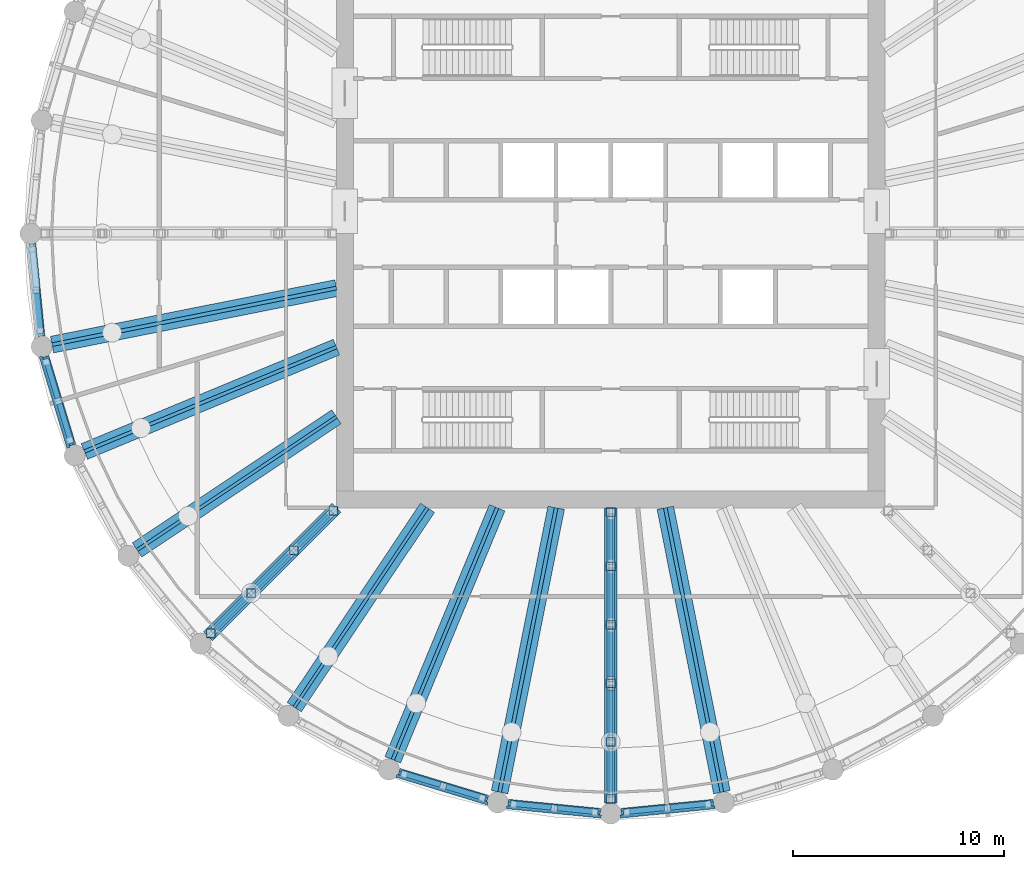
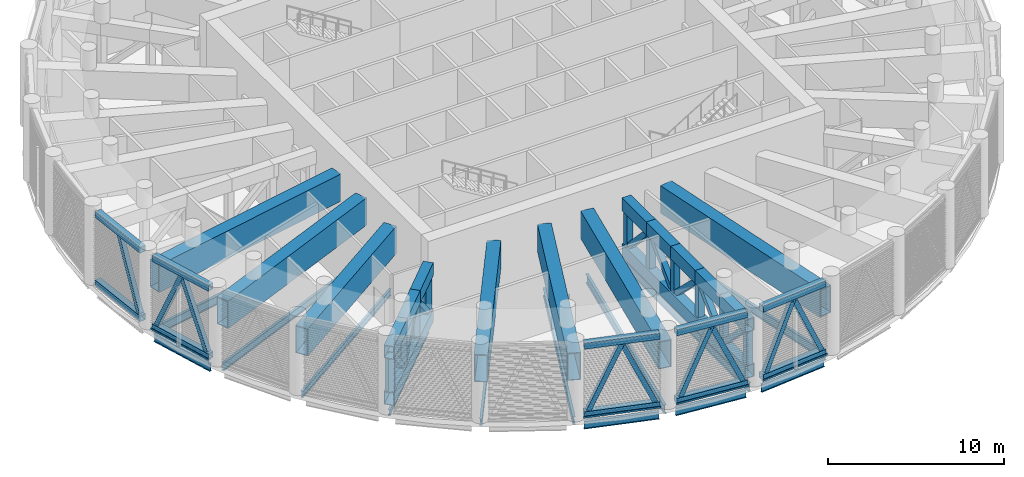
# One storey, part 2 of 24: 51 members, 20 beams, 4 elements without a shape of their own.
"""IFC4 building model written with IfcOpenShell, lengths in metres."""

from ifc_helpers import new_model, si_unit, direction, frame, origin, origin_2d, place, context, subcontext, project, spatial, rectangle, hollow_rectangle, i_section, extrude, material, material_profile, profile_set, type_object, element, aggregate, save


model = new_model("IFC4")

# Units and contexts
model_context = context("Model", 3, precision=1e-05, world=origin(), true_north=direction((0.0, 1.0)))
body_context = subcontext(model_context, "Body", "Model", "MODEL_VIEW")
ifc_project = project(units=[si_unit("LENGTHUNIT", "METRE"), si_unit("AREAUNIT", "SQUARE_METRE"), si_unit("VOLUMEUNIT", "CUBIC_METRE"), si_unit("PLANEANGLEUNIT", "RADIAN"), si_unit("MASSUNIT", "GRAM", prefix="KILO")], contexts=[model_context])

# Site, building, storey
site_placement = place(None, origin())
site = spatial("IfcSite", under=ifc_project, at=site_placement, CompositionType="ELEMENT")
building_placement = place(site_placement, origin())
building = spatial("IfcBuilding", under=site, at=building_placement, Name="Corvane Civic Tower", CompositionType="ELEMENT")
storey_placement = place(building_placement, frame((0.0, 0.0, 257.5)))
storey = spatial("IfcBuildingStorey", under=building, at=storey_placement, Name="L61", CompositionType="ELEMENT", Elevation=257.5)

# Members
ifc_material_1 = material(Name="Steel ASTM A500 Gr C", Category="steel")
ifc_material_profile_1 = material_profile(ifc_material_1, hollow_rectangle(XDim=0.406494140625, YDim=0.406494140625, WallThickness=0.0146484375, at=origin_2d()), Name="HSS16X16X5/8")
ifc_profile_set_1 = profile_set([ifc_material_profile_1], Name="Steel ASTM A500 Gr C")
member_type_1 = type_object("IfcMemberType", Name="BELT CHORD HSS16X16X5/8", PredefinedType="CHORD", material=ifc_profile_set_1)
for number, where, z_axis, x_axis, name in (
    (1, (4.867431640625, -27.020751953125, 4.94677734375), (-0.995189593769, -0.097967711281, 0.0), (0.097967711281, -0.995189593769, 0.0), "Belt truss BT-L61"),
    (2, (4.867431640625, -27.020751953125, 0.203125), (-0.995189593769, -0.097967711281, 0.0), (0.097967711281, -0.995189593769, 0.0), "Belt truss BT-L61"),
    (3, (-0.49755859375, -27.450927734375, 4.94677734375), (-0.995189593769, 0.097967711281, 0.0), (-0.097967711281, -0.995189593769, 0.0), "Belt truss BT-L61"),
    (4, (-0.49755859375, -27.450927734375, 0.203125), (-0.995189593769, 0.097967711281, 0.0), (-0.097967711281, -0.995189593769, 0.0), "Belt truss BT-L61"),
):
    element("IfcMember", number, at=place(storey_placement, frame(where, z_axis=z_axis, x_axis=x_axis)), inside=storey, type_object=member_type_1, Name=name, PredefinedType="CHORD", context=body_context, shape_type="SweptSolid", body=[
        extrude(hollow_rectangle(XDim=0.406494140625, YDim=0.406494140625, WallThickness=0.0146484375, at=origin_2d()), origin(), (0.0, 0.0, 1.0), 4.39111328125),
    ])
for number, where, z_axis, x_axis, name in (
    (5, (-5.843505859375, -26.826416015625, 4.94677734375), (-0.956949547653, 0.290254307888, 0.0), (-0.290254307888, -0.956949547653, 0.0), "Belt truss BT-L61"),
    (6, (-5.843505859375, -26.826416015625, 0.203125), (-0.956949547653, 0.290254307888, 0.0), (-0.290254307888, -0.956949547653, 0.0), "Belt truss BT-L61"),
    (7, (-25.552001953125, -10.045166015625, 4.94677734375), (-0.290254307888, 0.956949547653, 0.0), (-0.956949547653, -0.290254307888, 0.0), "Belt truss BT-L61"),
    (8, (-25.552001953125, -10.045166015625, 0.203125), (-0.290254307888, 0.956949547653, 0.0), (-0.956949547653, -0.290254307888, 0.0), "Belt truss BT-L61"),
):
    element("IfcMember", number, at=place(storey_placement, frame(where, z_axis=z_axis, x_axis=x_axis)), inside=storey, type_object=member_type_1, Name=name, PredefinedType="CHORD", context=body_context, shape_type="SweptSolid", body=[
        extrude(hollow_rectangle(XDim=0.406494140625, YDim=0.406494140625, WallThickness=0.0146484375, at=origin_2d()), origin(), (0.0, 0.0, 1.0), 4.390625),
    ])
for number, where, z_axis, x_axis, name in (
    (9, (-27.020751953125, -4.867431640625, 4.94677734375), (-0.097967711281, 0.995189593769, 0.0), (-0.995189593769, -0.097967711281, 0.0), "Belt truss BT-L61"),
    (10, (-27.020751953125, -4.867431640625, 0.203125), (-0.097967711281, 0.995189593769, 0.0), (-0.995189593769, -0.097967711281, 0.0), "Belt truss BT-L61"),
):
    element("IfcMember", number, at=place(storey_placement, frame(where, z_axis=z_axis, x_axis=x_axis)), inside=storey, type_object=member_type_1, Name=name, PredefinedType="CHORD", context=body_context, shape_type="SweptSolid", body=[
        extrude(hollow_rectangle(XDim=0.406494140625, YDim=0.406494140625, WallThickness=0.0146484375, at=origin_2d()), origin(), (0.0, 0.0, 1.0), 4.39111328125),
    ])
ifc_material_2 = material(Name="Steel ASTM A500 Gr C", Category="steel")
ifc_material_profile_2 = material_profile(ifc_material_2, hollow_rectangle(XDim=0.3046875, YDim=0.3046875, WallThickness=0.01171875, at=origin_2d()), Name="HSS12X12X1/2")
ifc_profile_set_2 = profile_set([ifc_material_profile_2], Name="Steel ASTM A500 Gr C")
member_type_2 = type_object("IfcMemberType", Name="BELT DIAGONAL HSS12X12X1/2", PredefinedType="BRACE", material=ifc_profile_set_2)
member_1_placement = place(storey_placement, frame((4.61865234375, -27.045166015625, 0.406494140625), z_axis=(-0.407288336964, -0.040112508344, 0.912418323603), x_axis=(0.098012562879, -0.995185177501, 0.0)))
element("IfcMember", 11, at=member_1_placement, inside=storey, type_object=member_type_2, Name="Belt truss BT-L61", PredefinedType="BRACE", context=body_context, shape_type="SweptSolid", body=[
    extrude(hollow_rectangle(XDim=0.3046875, YDim=0.3046875, WallThickness=0.01171875, at=origin_2d()), origin(), (0.0, 0.0, 1.0), 4.75341796875),
])
for number, where, z_axis, x_axis, name in (
    (12, (0.746337890625, -27.426513671875, 0.406494140625), (0.407331176201, 0.040111669224, 0.912399236566), (-0.098000323415, 0.99518638285, 0.0), "Belt truss BT-L61"),
    (13, (-0.746337890625, -27.426513671875, 0.406494140625), (-0.407331176201, 0.040111669224, 0.912399236566), (-0.098000323415, -0.99518638285, 0.0), "Belt truss BT-L61"),
):
    element("IfcMember", number, at=place(storey_placement, frame(where, z_axis=z_axis, x_axis=x_axis)), inside=storey, type_object=member_type_2, Name=name, PredefinedType="BRACE", context=body_context, shape_type="SweptSolid", body=[
        extrude(hollow_rectangle(XDim=0.3046875, YDim=0.3046875, WallThickness=0.01171875, at=origin_2d()), origin(), (0.0, 0.0, 1.0), 4.753662109375),
    ])
for number, where, z_axis, x_axis, name in (
    (14, (-4.61865234375, -27.045166015625, 0.406494140625), (0.407288336964, -0.040112508344, 0.912418323603), (0.098012562879, 0.995185177501, 0.0), "Belt truss BT-L61"),
    (15, (-6.082763671875, -26.75390625, 0.406494140625), (-0.391625604983, 0.118797380239, 0.912423458691), (-0.290282555448, -0.956940979373, 0.0), "Belt truss BT-L61"),
    (16, (-9.805908203125, -25.62451171875, 0.406494140625), (0.391625604983, -0.118797380239, 0.912423458691), (0.290282555448, 0.956940979373, 0.0), "Belt truss BT-L61"),
    (17, (-25.62451171875, -9.805908203125, 0.406494140625), (-0.118797380239, 0.391625604983, 0.912423458691), (-0.956940979373, -0.290282555448, 0.0), "Belt truss BT-L61"),
    (18, (-26.75390625, -6.082763671875, 0.406494140625), (0.118797380239, -0.391625604983, 0.912423458691), (0.956940979373, 0.290282555448, 0.0), "Belt truss BT-L61"),
    (19, (-27.045166015625, -4.61865234375, 0.406494140625), (-0.040112508344, 0.407288336964, 0.912418323603), (-0.995185177501, -0.098012562879, 0.0), "Belt truss BT-L61"),
):
    element("IfcMember", number, at=place(storey_placement, frame(where, z_axis=z_axis, x_axis=x_axis)), inside=storey, type_object=member_type_2, Name=name, PredefinedType="BRACE", context=body_context, shape_type="SweptSolid", body=[
        extrude(hollow_rectangle(XDim=0.3046875, YDim=0.3046875, WallThickness=0.01171875, at=origin_2d()), origin(), (0.0, 0.0, 1.0), 4.75341796875),
    ])

# Beams
ifc_material_3 = material(Name="Steel ASTM A992 Gr 50", Category="steel")
ifc_material_profile_3 = material_profile(ifc_material_3, i_section(OverallWidth=0.165771484375, OverallDepth=0.5283203125, WebThickness=0.009765625, FlangeThickness=0.013671875, at=origin_2d()), Name="W21X50")
ifc_profile_set_3 = profile_set([ifc_material_profile_3], Name="Steel ASTM A992 Gr 50")
beam_type_1 = type_object("IfcBeamType", Name="EDGE BEAM W21X50", PredefinedType="BEAM", material=ifc_profile_set_3)
for number, where, z_axis, x_axis, name in (
    (20, (4.867431640625, -27.020751953125, -0.6142578125), (-0.995189593769, -0.097967711281, 0.0), (0.097967711281, -0.995189593769, 0.0), "BM-L61-E16"),
    (21, (-0.49755859375, -27.450927734375, -0.6142578125), (-0.995189593769, 0.097967711281, 0.0), (-0.097967711281, -0.995189593769, 0.0), "BM-L61-E17"),
):
    element("IfcBeam", number, at=place(storey_placement, frame(where, z_axis=z_axis, x_axis=x_axis)), inside=storey, type_object=beam_type_1, Name=name, PredefinedType="BEAM", context=body_context, shape_type="SweptSolid", body=[
        extrude(i_section(OverallWidth=0.165771484375, OverallDepth=0.5283203125, WebThickness=0.009765625, FlangeThickness=0.013671875, at=origin_2d()), origin(), (0.0, 0.0, 1.0), 4.39111328125),
    ])
for number, where, z_axis, x_axis, name in (
    (22, (-5.843505859375, -26.826416015625, -0.6142578125), (-0.956949547653, 0.290254307888, 0.0), (-0.290254307888, -0.956949547653, 0.0), "BM-L61-E18"),
    (23, (-25.552001953125, -10.045166015625, -0.6142578125), (-0.290254307888, 0.956949547653, 0.0), (-0.956949547653, -0.290254307888, 0.0), "BM-L61-E23"),
):
    element("IfcBeam", number, at=place(storey_placement, frame(where, z_axis=z_axis, x_axis=x_axis)), inside=storey, type_object=beam_type_1, Name=name, PredefinedType="BEAM", context=body_context, shape_type="SweptSolid", body=[
        extrude(i_section(OverallWidth=0.165771484375, OverallDepth=0.5283203125, WebThickness=0.009765625, FlangeThickness=0.013671875, at=origin_2d()), origin(), (0.0, 0.0, 1.0), 4.390625),
    ])
ifc_material_4 = material(Name="Steel ASTM A992 Gr 50", Category="steel")
ifc_material_profile_4 = material_profile(ifc_material_4, i_section(OverallWidth=0.140380859375, OverallDepth=0.40380859375, WebThickness=0.007080078125, FlangeThickness=0.01123046875, at=origin_2d()), Name="W16X31")
ifc_profile_set_4 = profile_set([ifc_material_profile_4], Name="Steel ASTM A992 Gr 50")
beam_type_2 = type_object("IfcBeamType", Name="FLOOR GIRDER W16X31", PredefinedType="BEAM", material=ifc_profile_set_4)
beam_1_placement = place(storey_placement, frame((-13.0, -13.0, -0.552001953125), z_axis=(-0.707106781187, -0.707106781187, 0.0), x_axis=(0.707106781187, -0.707106781187, 0.0)))
element("IfcBeam", 24, at=beam_1_placement, inside=storey, type_object=beam_type_2, Name="BM-L61-G21", PredefinedType="BEAM", context=body_context, shape_type="SweptSolid", body=[
    extrude(i_section(OverallWidth=0.140380859375, OverallDepth=0.40380859375, WebThickness=0.007080078125, FlangeThickness=0.01123046875, at=origin_2d()), origin(), (0.0, 0.0, 1.0), 8.614990234375),
])
ifc_material_5 = material(Name="Steel ASTM A992 Gr 50", Category="steel")
ifc_material_profile_5 = material_profile(ifc_material_5, i_section(OverallWidth=0.15283203125, OverallDepth=0.45458984375, WebThickness=0.008056640625, FlangeThickness=0.013427734375, at=origin_2d()), Name="W18X40")
ifc_profile_set_5 = profile_set([ifc_material_profile_5], Name="Steel ASTM A992 Gr 50")
beam_type_3 = type_object("IfcBeamType", Name="FLOOR GIRDER W18X40", PredefinedType="BEAM", material=ifc_profile_set_5)
for number, where, z_axis, x_axis, name in (
    (25, (-8.686279296875, -13.0, -0.577392578125), (-0.555577326485, -0.831464872557, 0.0), (0.831464872557, -0.555577326485, 0.0), "BM-L61-G20"),
    (26, (-13.0, -8.686279296875, -0.577392578125), (-0.831464872557, -0.555577326485, 0.0), (0.555577326485, -0.831464872557, 0.0), "BM-L61-G22"),
):
    element("IfcBeam", number, at=place(storey_placement, frame(where, z_axis=z_axis, x_axis=x_axis)), inside=storey, type_object=beam_type_3, Name=name, PredefinedType="BEAM", context=body_context, shape_type="SweptSolid", body=[
        extrude(i_section(OverallWidth=0.15283203125, OverallDepth=0.45458984375, WebThickness=0.008056640625, FlangeThickness=0.013427734375, at=origin_2d()), origin(), (0.0, 0.0, 1.0), 11.365234375),
    ])
ifc_material_6 = material(Name="Steel ASTM A992 Gr 50", Category="steel")
ifc_material_profile_6 = material_profile(ifc_material_6, i_section(OverallWidth=0.165771484375, OverallDepth=0.5283203125, WebThickness=0.009765625, FlangeThickness=0.013671875, at=origin_2d()), Name="W21X50")
ifc_profile_set_6 = profile_set([ifc_material_profile_6], Name="Steel ASTM A992 Gr 50")
beam_type_4 = type_object("IfcBeamType", Name="FLOOR GIRDER W21X50", PredefinedType="BEAM", material=ifc_profile_set_6)
for number, where, z_axis, x_axis, name in (
    (27, (-5.384765625, -13.0, -0.6142578125), (-0.382686450378, -0.923878282404, 0.0), (0.923878282404, -0.382686450378, 0.0), "BM-L61-G19"),
    (28, (-13.0, -5.384765625, -0.6142578125), (-0.923878282404, -0.382686450378, 0.0), (0.382686450378, -0.923878282404, 0.0), "BM-L61-G23"),
):
    element("IfcBeam", number, at=place(storey_placement, frame(where, z_axis=z_axis, x_axis=x_axis)), inside=storey, type_object=beam_type_4, Name=name, PredefinedType="BEAM", context=body_context, shape_type="SweptSolid", body=[
        extrude(i_section(OverallWidth=0.165771484375, OverallDepth=0.5283203125, WebThickness=0.009765625, FlangeThickness=0.013671875, at=origin_2d()), origin(), (0.0, 0.0, 1.0), 12.928955078125),
    ])
ifc_material_7 = material(Name="Steel ASTM A992 Gr 50", Category="steel")
ifc_material_profile_7 = material_profile(ifc_material_7, i_section(OverallWidth=0.177978515625, OverallDepth=0.599365234375, WebThickness=0.010009765625, FlangeThickness=0.012939453125, at=origin_2d()), Name="W24X55")
ifc_profile_set_7 = profile_set([ifc_material_profile_7], Name="Steel ASTM A992 Gr 50")
beam_type_5 = type_object("IfcBeamType", Name="FLOOR GIRDER W24X55", PredefinedType="BEAM", material=ifc_profile_set_7)
beam_2_placement = place(storey_placement, frame((2.5859375, -13.0, -0.649658203125), z_axis=(0.195077644118, -0.980787802109, 0.0), x_axis=(0.980787802109, 0.195077644118, 0.0)))
element("IfcBeam", 29, at=beam_2_placement, inside=storey, type_object=beam_type_5, Name="BM-L61-G16", PredefinedType="BEAM", context=body_context, shape_type="SweptSolid", body=[
    extrude(i_section(OverallWidth=0.177978515625, OverallDepth=0.599365234375, WebThickness=0.010009765625, FlangeThickness=0.012939453125, at=origin_2d()), origin(), (0.0, 0.0, 1.0), 13.745361328125),
])
beam_3_placement = place(storey_placement, frame((0.0, -13.0, -0.649658203125), z_axis=(0.0, -1.0, 0.0), x_axis=(1.0, 0.0, 0.0)))
element("IfcBeam", 30, at=beam_3_placement, inside=storey, type_object=beam_type_5, Name="BM-L61-G17", PredefinedType="BEAM", context=body_context, shape_type="SweptSolid", body=[
    extrude(i_section(OverallWidth=0.177978515625, OverallDepth=0.599365234375, WebThickness=0.010009765625, FlangeThickness=0.012939453125, at=origin_2d()), origin(), (0.0, 0.0, 1.0), 14.0),
])
for number, where, z_axis, x_axis, name in (
    (31, (-2.5859375, -13.0, -0.649658203125), (-0.195077644118, -0.980787802109, 0.0), (0.980787802109, -0.195077644118, 0.0), "BM-L61-G18"),
    (32, (-13.0, -2.5859375, -0.649658203125), (-0.980787802109, -0.195077644118, 0.0), (0.195077644118, -0.980787802109, 0.0), "BM-L61-G24"),
):
    element("IfcBeam", number, at=place(storey_placement, frame(where, z_axis=z_axis, x_axis=x_axis)), inside=storey, type_object=beam_type_5, Name=name, PredefinedType="BEAM", context=body_context, shape_type="SweptSolid", body=[
        extrude(i_section(OverallWidth=0.177978515625, OverallDepth=0.599365234375, WebThickness=0.010009765625, FlangeThickness=0.012939453125, at=origin_2d()), origin(), (0.0, 0.0, 1.0), 13.745361328125),
    ])

# Members
ifc_material_8 = material(Name="Steel ASTM A572 Gr 50", Category="steel")
ifc_material_profile_8 = material_profile(ifc_material_8, hollow_rectangle(XDim=0.60009765625, YDim=0.89990234375, WallThickness=0.0400390625, at=origin_2d()), Name="BOX900X600X40")
ifc_profile_set_8 = profile_set([ifc_material_profile_8], Name="Steel ASTM A572 Gr 50")
member_type_3 = type_object("IfcMemberType", Name="OUTRIGGER CHORD BOX900X600X40", PredefinedType="CHORD", material=ifc_profile_set_8)
member_2_placement = place(storey_placement, frame((0.0, -13.0, 3.64990234375), z_axis=(0.0, -1.0, 0.0), x_axis=(1.0, 0.0, 0.0)))
element("IfcMember", 33, at=member_2_placement, inside=storey, type_object=member_type_3, Name="Outrigger truss OT-L61-5", PredefinedType="CHORD", context=body_context, shape_type="SweptSolid", body=[
    extrude(hollow_rectangle(XDim=0.60009765625, YDim=0.89990234375, WallThickness=0.0400390625, at=origin_2d()), origin(), (0.0, 0.0, 1.0), 2.77490234375),
])
member_3_placement = place(storey_placement, frame((0.0, -15.77490234375, 3.64990234375), z_axis=(0.0, -1.0, 0.0), x_axis=(1.0, 0.0, 0.0)))
element("IfcMember", 34, at=member_3_placement, inside=storey, type_object=member_type_3, Name="Outrigger truss OT-L61-5", PredefinedType="CHORD", context=body_context, shape_type="SweptSolid", body=[
    extrude(hollow_rectangle(XDim=0.60009765625, YDim=0.89990234375, WallThickness=0.0400390625, at=origin_2d()), origin(), (0.0, 0.0, 1.0), 2.775146484375),
])
member_4_placement = place(storey_placement, frame((0.0, -18.550048828125, 3.64990234375), z_axis=(0.0, -1.0, 0.0), x_axis=(1.0, 0.0, 0.0)))
element("IfcMember", 35, at=member_4_placement, inside=storey, type_object=member_type_3, Name="Outrigger truss OT-L61-5", PredefinedType="CHORD", context=body_context, shape_type="SweptSolid", body=[
    extrude(hollow_rectangle(XDim=0.60009765625, YDim=0.89990234375, WallThickness=0.0400390625, at=origin_2d()), origin(), (0.0, 0.0, 1.0), 2.77490234375),
])
member_5_placement = place(storey_placement, frame((0.0, -21.324951171875, 3.64990234375), z_axis=(0.0, -1.0, 0.0), x_axis=(1.0, 0.0, 0.0)))
element("IfcMember", 36, at=member_5_placement, inside=storey, type_object=member_type_3, Name="Outrigger truss OT-L61-5", PredefinedType="CHORD", context=body_context, shape_type="SweptSolid", body=[
    extrude(hollow_rectangle(XDim=0.60009765625, YDim=0.89990234375, WallThickness=0.0400390625, at=origin_2d()), origin(), (0.0, 0.0, 1.0), 2.775146484375),
])
member_6_placement = place(storey_placement, frame((0.0, -24.10009765625, 3.64990234375), z_axis=(0.0, -1.0, 0.0), x_axis=(1.0, 0.0, 0.0)))
element("IfcMember", 37, at=member_6_placement, inside=storey, type_object=member_type_3, Name="Outrigger truss OT-L61-5", PredefinedType="CHORD", context=body_context, shape_type="SweptSolid", body=[
    extrude(hollow_rectangle(XDim=0.60009765625, YDim=0.89990234375, WallThickness=0.0400390625, at=origin_2d()), origin(), (0.0, 0.0, 1.0), 2.89990234375),
])
member_7_placement = place(storey_placement, frame((0.0, -13.0, 0.449951171875), z_axis=(0.0, -1.0, 0.0), x_axis=(1.0, 0.0, 0.0)))
element("IfcMember", 38, at=member_7_placement, inside=storey, type_object=member_type_3, Name="Outrigger truss OT-L61-5", PredefinedType="CHORD", context=body_context, shape_type="SweptSolid", body=[
    extrude(hollow_rectangle(XDim=0.60009765625, YDim=0.89990234375, WallThickness=0.0400390625, at=origin_2d()), origin(), (0.0, 0.0, 1.0), 14.0),
])
member_8_placement = place(storey_placement, frame((-13.0, -13.0, 3.64990234375), z_axis=(-0.707106781187, -0.707106781187, 0.0), x_axis=(0.707106781187, -0.707106781187, 0.0)))
element("IfcMember", 39, at=member_8_placement, inside=storey, type_object=member_type_3, Name="Outrigger truss OT-L61-6", PredefinedType="CHORD", context=body_context, shape_type="SweptSolid", body=[
    extrude(hollow_rectangle(XDim=0.60009765625, YDim=0.89990234375, WallThickness=0.0400390625, at=origin_2d()), origin(), (0.0, 0.0, 1.0), 2.857666015625),
])
member_9_placement = place(storey_placement, frame((-15.020751953125, -15.020751953125, 3.64990234375), z_axis=(-0.707106781187, -0.707106781187, 0.0), x_axis=(0.707106781187, -0.707106781187, 0.0)))
element("IfcMember", 40, at=member_9_placement, inside=storey, type_object=member_type_3, Name="Outrigger truss OT-L61-6", PredefinedType="CHORD", context=body_context, shape_type="SweptSolid", body=[
    extrude(hollow_rectangle(XDim=0.60009765625, YDim=0.89990234375, WallThickness=0.0400390625, at=origin_2d()), origin(), (0.0, 0.0, 1.0), 2.857421875),
])
member_10_placement = place(storey_placement, frame((-17.041259765625, -17.041259765625, 3.64990234375), z_axis=(-0.707106781187, -0.707106781187, 0.0), x_axis=(0.707106781187, -0.707106781187, 0.0)))
element("IfcMember", 41, at=member_10_placement, inside=storey, type_object=member_type_3, Name="Outrigger truss OT-L61-6", PredefinedType="CHORD", context=body_context, shape_type="SweptSolid", body=[
    extrude(hollow_rectangle(XDim=0.60009765625, YDim=0.89990234375, WallThickness=0.0400390625, at=origin_2d()), origin(), (0.0, 0.0, 1.0), 2.89990234375),
])
member_11_placement = place(storey_placement, frame((-13.0, -13.0, 0.449951171875), z_axis=(-0.707106781187, -0.707106781187, 0.0), x_axis=(0.707106781187, -0.707106781187, 0.0)))
element("IfcMember", 42, at=member_11_placement, inside=storey, type_object=member_type_3, Name="Outrigger truss OT-L61-6", PredefinedType="CHORD", context=body_context, shape_type="SweptSolid", body=[
    extrude(hollow_rectangle(XDim=0.60009765625, YDim=0.89990234375, WallThickness=0.0400390625, at=origin_2d()), origin(), (0.0, 0.0, 1.0), 8.614990234375),
])
ifc_material_9 = material(Name="Steel ASTM A500 Gr C", Category="steel")
ifc_material_profile_9 = material_profile(ifc_material_9, hollow_rectangle(XDim=0.355712890625, YDim=0.355712890625, WallThickness=0.01171875, at=origin_2d()), Name="HSS14X14X1/2")
ifc_profile_set_9 = profile_set([ifc_material_profile_9], Name="Steel ASTM A500 Gr C")
member_type_4 = type_object("IfcMemberType", Name="OUTRIGGER DIAGONAL HSS14X14X1/2", PredefinedType="BRACE", material=ifc_profile_set_9)
member_12_placement = place(storey_placement, frame((0.0, -13.406494140625, 0.89990234375), z_axis=(0.0, -0.685453892401, 0.728116035665), x_axis=(1.0, 0.0, 0.0)))
element("IfcMember", 43, at=member_12_placement, inside=storey, type_object=member_type_4, Name="Outrigger truss OT-L61-5", PredefinedType="BRACE", context=body_context, shape_type="SweptSolid", body=[
    extrude(hollow_rectangle(XDim=0.355712890625, YDim=0.355712890625, WallThickness=0.01171875, at=origin_2d()), origin(), (0.0, 0.0, 1.0), 3.158935546875),
])
for number, where, z_axis, x_axis, name in (
    (44, (0.0, -15.978271484375, 3.199951171875), (0.0, -0.717383914555, -0.696678059894), (1.0, 0.0, 0.0), "Outrigger truss OT-L61-5"),
    (45, (0.0, -18.753173828125, 0.89990234375), (0.0, -0.717419803843, 0.696641102042), (1.0, 0.0, 0.0), "Outrigger truss OT-L61-5"),
    (46, (0.0, -21.5283203125, 3.199951171875), (0.0, -0.717383914555, -0.696678059894), (1.0, 0.0, 0.0), "Outrigger truss OT-L61-5"),
):
    element("IfcMember", number, at=place(storey_placement, frame(where, z_axis=z_axis, x_axis=x_axis)), inside=storey, type_object=member_type_4, Name=name, PredefinedType="BRACE", context=body_context, shape_type="SweptSolid", body=[
        extrude(hollow_rectangle(XDim=0.355712890625, YDim=0.355712890625, WallThickness=0.01171875, at=origin_2d()), origin(), (0.0, 0.0, 1.0), 3.301513671875),
    ])
member_13_placement = place(storey_placement, frame((0.0, -24.30322265625, 0.89990234375), z_axis=(0.0, -0.705600861945, 0.708609500094), x_axis=(1.0, 0.0, 0.0)))
element("IfcMember", 47, at=member_13_placement, inside=storey, type_object=member_type_4, Name="Outrigger truss OT-L61-5", PredefinedType="BRACE", context=body_context, shape_type="SweptSolid", body=[
    extrude(hollow_rectangle(XDim=0.355712890625, YDim=0.355712890625, WallThickness=0.01171875, at=origin_2d()), origin(), (0.0, 0.0, 1.0), 3.245849609375),
])
member_14_placement = place(storey_placement, frame((-13.287353515625, -13.287353515625, 0.89990234375), z_axis=(-0.494249277521, -0.494249277521, 0.715147050151), x_axis=(0.707106781187, -0.707106781187, 0.0)))
element("IfcMember", 48, at=member_14_placement, inside=storey, type_object=member_type_4, Name="Outrigger truss OT-L61-6", PredefinedType="BRACE", context=body_context, shape_type="SweptSolid", body=[
    extrude(hollow_rectangle(XDim=0.355712890625, YDim=0.355712890625, WallThickness=0.01171875, at=origin_2d()), origin(), (0.0, 0.0, 1.0), 3.21630859375),
])
member_15_placement = place(storey_placement, frame((-15.164306640625, -15.164306640625, 3.199951171875), z_axis=(-0.515664863486, -0.515664863486, -0.684236433648), x_axis=(0.707106781187, -0.707106781187, 0.0)))
element("IfcMember", 49, at=member_15_placement, inside=storey, type_object=member_type_4, Name="Outrigger truss OT-L61-6", PredefinedType="BRACE", context=body_context, shape_type="SweptSolid", body=[
    extrude(hollow_rectangle(XDim=0.355712890625, YDim=0.355712890625, WallThickness=0.01171875, at=origin_2d()), origin(), (0.0, 0.0, 1.0), 3.361572265625),
])
member_16_placement = place(storey_placement, frame((-17.18505859375, -17.18505859375, 0.89990234375), z_axis=(-0.498921228114, -0.498921228114, 0.708629110518), x_axis=(0.707106781187, -0.707106781187, 0.0)))
element("IfcMember", 50, at=member_16_placement, inside=storey, type_object=member_type_4, Name="Outrigger truss OT-L61-6", PredefinedType="BRACE", context=body_context, shape_type="SweptSolid", body=[
    extrude(hollow_rectangle(XDim=0.355712890625, YDim=0.355712890625, WallThickness=0.01171875, at=origin_2d()), origin(), (0.0, 0.0, 1.0), 3.245849609375),
])
ifc_material_10 = material(Name="Steel ASTM A500 Gr C", Category="steel")
ifc_material_profile_10 = material_profile(ifc_material_10, hollow_rectangle(XDim=0.406494140625, YDim=0.406494140625, WallThickness=0.0146484375, at=origin_2d()), Name="HSS16X16X5/8")
ifc_profile_set_10 = profile_set([ifc_material_profile_10], Name="Steel ASTM A500 Gr C")
member_type_5 = type_object("IfcMemberType", Name="OUTRIGGER POST HSS16X16X5/8", PredefinedType="POST", material=ifc_profile_set_10)
for number, where, z_axis, x_axis, name in (
    (51, (0.0, -13.203125, 0.89990234375), (0.0, 0.0, 1.0), (1.0, 0.0, 0.0), "Outrigger truss OT-L61-5"),
    (52, (0.0, -15.77490234375, 0.89990234375), (0.0, 0.0, 1.0), (1.0, 0.0, 0.0), "Outrigger truss OT-L61-5"),
    (53, (0.0, -18.550048828125, 0.89990234375), (0.0, 0.0, 1.0), (1.0, 0.0, 0.0), "Outrigger truss OT-L61-5"),
    (54, (0.0, -21.324951171875, 0.89990234375), (0.0, 0.0, 1.0), (1.0, 0.0, 0.0), "Outrigger truss OT-L61-5"),
    (55, (0.0, -24.10009765625, 0.89990234375), (0.0, 0.0, 1.0), (1.0, 0.0, 0.0), "Outrigger truss OT-L61-5"),
    (56, (0.0, -26.796875, 0.89990234375), (0.0, 0.0, 1.0), (1.0, 0.0, 0.0), "Outrigger truss OT-L61-5"),
    (57, (-13.143798828125, -13.143798828125, 0.89990234375), (0.0, 0.0, 1.0), (1.0, 0.0, 0.0), "Outrigger truss OT-L61-6"),
    (58, (-15.020751953125, -15.020751953125, 0.89990234375), (0.0, 0.0, 1.0), (1.0, 0.0, 0.0), "Outrigger truss OT-L61-6"),
    (59, (-17.041259765625, -17.041259765625, 0.89990234375), (0.0, 0.0, 1.0), (1.0, 0.0, 0.0), "Outrigger truss OT-L61-6"),
    (60, (-18.9482421875, -18.9482421875, 0.89990234375), (0.0, 0.0, 1.0), (1.0, 0.0, 0.0), "Outrigger truss OT-L61-6"),
):
    element("IfcMember", number, at=place(storey_placement, frame(where, z_axis=z_axis, x_axis=x_axis)), inside=storey, type_object=member_type_5, Name=name, PredefinedType="POST", context=body_context, shape_type="SweptSolid", body=[
        extrude(hollow_rectangle(XDim=0.406494140625, YDim=0.406494140625, WallThickness=0.0146484375, at=origin_2d()), origin(), (0.0, 0.0, 1.0), 2.300048828125),
    ])

# Curtain wall, member
ifc_material_11 = material(Name="Anodised aluminium bronze", Category="aluminium")
curtain_wall_type = type_object("IfcCurtainWallType", Name="TOWER CW-LV LOUVRE SCREEN WALL", PredefinedType="NOTDEFINED", material=ifc_material_11)
curtain_wall_1_placement = place(storey_placement, origin())
curtain_wall_1 = element("IfcCurtainWall", 61, at=curtain_wall_1_placement, inside=storey, type_object=curtain_wall_type, Name="Louvre screen wall CW-LV L61 bay 16", PredefinedType="NOTDEFINED")
ifc_material_12 = material(Name="Anodised aluminium bronze", Category="aluminium")
ifc_material_profile_11 = material_profile(ifc_material_12, rectangle(XDim=0.139892578125, YDim=0.1201171875, at=origin_2d()), Name="TOWER CW-LV TRANSOM 140x120")
ifc_profile_set_11 = profile_set([ifc_material_profile_11], Name="Anodised aluminium bronze")
member_type_6 = type_object("IfcMemberType", Name="TOWER CW-LV TRANSOM 140x120", PredefinedType="USERDEFINED", material=ifc_profile_set_11)
member_17_placement = place(storey_placement, frame((4.94775390625, -27.192626953125, 0.06005859375), z_axis=(-0.995182207386, -0.098042715701, 0.0), x_axis=(0.098042715701, -0.995182207386, 0.0)))
member_17 = element("IfcMember", 62, at=member_17_placement, type_object=member_type_6, Name="Transom CW-LV L61 16.1", ObjectType="TRANSOM", PredefinedType="USERDEFINED", context=body_context, shape_type="SweptSolid", body=[
    extrude(rectangle(XDim=0.139892578125, YDim=0.1201171875, at=origin_2d()), origin(), (0.0, 0.0, 1.0), 4.51708984375),
])
aggregate(curtain_wall_1, [member_17])

curtain_wall_2_placement = place(storey_placement, origin())
curtain_wall_2 = element("IfcCurtainWall", 63, at=curtain_wall_2_placement, inside=storey, type_object=curtain_wall_type, Name="Louvre screen wall CW-LV L61 bay 17", PredefinedType="NOTDEFINED")
member_18_placement = place(storey_placement, frame((-0.452392578125, -27.635498046875, 0.06005859375), z_axis=(-0.995182207386, 0.098042715701, 0.0), x_axis=(-0.098042715701, -0.995182207386, 0.0)))
member_18 = element("IfcMember", 64, at=member_18_placement, type_object=member_type_6, Name="Transom CW-LV L61 17.1", ObjectType="TRANSOM", PredefinedType="USERDEFINED", context=body_context, shape_type="SweptSolid", body=[
    extrude(rectangle(XDim=0.139892578125, YDim=0.1201171875, at=origin_2d()), origin(), (0.0, 0.0, 1.0), 4.51708984375),
])
aggregate(curtain_wall_2, [member_18])

curtain_wall_3_placement = place(storey_placement, origin())
curtain_wall_3 = element("IfcCurtainWall", 65, at=curtain_wall_3_placement, inside=storey, type_object=curtain_wall_type, Name="Louvre screen wall CW-LV L61 bay 18", PredefinedType="NOTDEFINED")
member_19_placement = place(storey_placement, frame((-5.8349609375, -27.016357421875, 0.06005859375), z_axis=(-0.956941182173, 0.2902818869, 0.0), x_axis=(-0.2902818869, -0.956941182173, 0.0)))
member_19 = element("IfcMember", 66, at=member_19_placement, type_object=member_type_6, Name="Transom CW-LV L61 18.1", ObjectType="TRANSOM", PredefinedType="USERDEFINED", context=body_context, shape_type="SweptSolid", body=[
    extrude(rectangle(XDim=0.139892578125, YDim=0.1201171875, at=origin_2d()), origin(), (0.0, 0.0, 1.0), 4.517333984375),
])
aggregate(curtain_wall_3, [member_19])

curtain_wall_4_placement = place(storey_placement, origin())
curtain_wall_4 = element("IfcCurtainWall", 67, at=curtain_wall_4_placement, inside=storey, type_object=curtain_wall_type, Name="Louvre screen wall CW-LV L61 bay 23", PredefinedType="NOTDEFINED")
member_20_placement = place(storey_placement, frame((-25.705078125, -10.15771484375, 0.06005859375), z_axis=(-0.2902818869, 0.956941182173, 0.0), x_axis=(-0.956941182173, -0.2902818869, 0.0)))
member_20 = element("IfcMember", 68, at=member_20_placement, type_object=member_type_6, Name="Transom CW-LV L61 23.1", ObjectType="TRANSOM", PredefinedType="USERDEFINED", context=body_context, shape_type="SweptSolid", body=[
    extrude(rectangle(XDim=0.139892578125, YDim=0.1201171875, at=origin_2d()), origin(), (0.0, 0.0, 1.0), 4.517333984375),
])
aggregate(curtain_wall_4, [member_20])

# Beams
ifc_material_13 = material(Name="Steel ASTM A572 Gr 50", Category="steel")
ifc_material_profile_12 = material_profile(ifc_material_13, hollow_rectangle(XDim=0.800048828125, YDim=1.89990234375, WallThickness=0.050048828125, at=origin_2d()), Name="BOX1900X800X50")
ifc_profile_set_12 = profile_set([ifc_material_profile_12], Name="Steel ASTM A572 Gr 50")
beam_type_6 = type_object("IfcBeamType", Name="TRANSFER GIRDER BOX1900X800X50", PredefinedType="BEAM", material=ifc_profile_set_12)
for number, where, z_axis, x_axis, name in (
    (69, (2.5859375, -13.0, 3.14990234375), (0.195077644118, -0.980787802109, 0.0), (0.980787802109, 0.195077644118, 0.0), "Transfer girder TG-L61-16"),
    (70, (-2.5859375, -13.0, 3.14990234375), (-0.195077644118, -0.980787802109, 0.0), (0.980787802109, -0.195077644118, 0.0), "Transfer girder TG-L61-18"),
):
    element("IfcBeam", number, at=place(storey_placement, frame(where, z_axis=z_axis, x_axis=x_axis)), inside=storey, type_object=beam_type_6, Name=name, PredefinedType="BEAM", context=body_context, shape_type="SweptSolid", body=[
        extrude(hollow_rectangle(XDim=0.800048828125, YDim=1.89990234375, WallThickness=0.050048828125, at=origin_2d()), origin(), (0.0, 0.0, 1.0), 13.745361328125),
    ])
beam_4_placement = place(storey_placement, frame((-5.384765625, -13.0, 3.14990234375), z_axis=(-0.382686450378, -0.923878282404, 0.0), x_axis=(0.923878282404, -0.382686450378, 0.0)))
element("IfcBeam", 71, at=beam_4_placement, inside=storey, type_object=beam_type_6, Name="Transfer girder TG-L61-19", PredefinedType="BEAM", context=body_context, shape_type="SweptSolid", body=[
    extrude(hollow_rectangle(XDim=0.800048828125, YDim=1.89990234375, WallThickness=0.050048828125, at=origin_2d()), origin(), (0.0, 0.0, 1.0), 12.928955078125),
])
for number, where, z_axis, x_axis, name in (
    (72, (-8.686279296875, -13.0, 3.14990234375), (-0.555577326485, -0.831464872557, 0.0), (0.831464872557, -0.555577326485, 0.0), "Transfer girder TG-L61-20"),
    (73, (-13.0, -8.686279296875, 3.14990234375), (-0.831464872557, -0.555577326485, 0.0), (0.555577326485, -0.831464872557, 0.0), "Transfer girder TG-L61-22"),
):
    element("IfcBeam", number, at=place(storey_placement, frame(where, z_axis=z_axis, x_axis=x_axis)), inside=storey, type_object=beam_type_6, Name=name, PredefinedType="BEAM", context=body_context, shape_type="SweptSolid", body=[
        extrude(hollow_rectangle(XDim=0.800048828125, YDim=1.89990234375, WallThickness=0.050048828125, at=origin_2d()), origin(), (0.0, 0.0, 1.0), 11.365234375),
    ])
beam_5_placement = place(storey_placement, frame((-13.0, -5.384765625, 3.14990234375), z_axis=(-0.923878282404, -0.382686450378, 0.0), x_axis=(0.382686450378, -0.923878282404, 0.0)))
element("IfcBeam", 74, at=beam_5_placement, inside=storey, type_object=beam_type_6, Name="Transfer girder TG-L61-23", PredefinedType="BEAM", context=body_context, shape_type="SweptSolid", body=[
    extrude(hollow_rectangle(XDim=0.800048828125, YDim=1.89990234375, WallThickness=0.050048828125, at=origin_2d()), origin(), (0.0, 0.0, 1.0), 12.928955078125),
])
beam_6_placement = place(storey_placement, frame((-13.0, -2.5859375, 3.14990234375), z_axis=(-0.980787802109, -0.195077644118, 0.0), x_axis=(0.195077644118, -0.980787802109, 0.0)))
element("IfcBeam", 75, at=beam_6_placement, inside=storey, type_object=beam_type_6, Name="Transfer girder TG-L61-24", PredefinedType="BEAM", context=body_context, shape_type="SweptSolid", body=[
    extrude(hollow_rectangle(XDim=0.800048828125, YDim=1.89990234375, WallThickness=0.050048828125, at=origin_2d()), origin(), (0.0, 0.0, 1.0), 13.745361328125),
])

save(model, "model.ifc")
